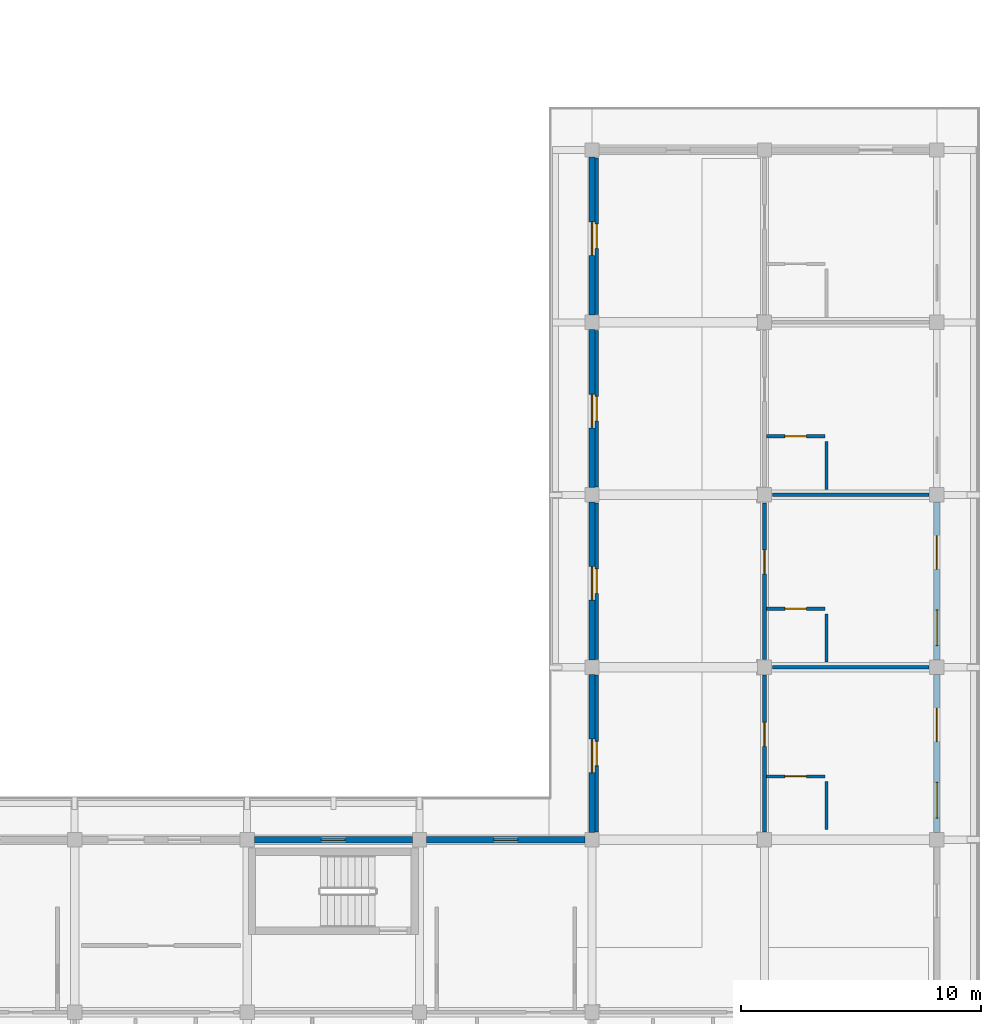
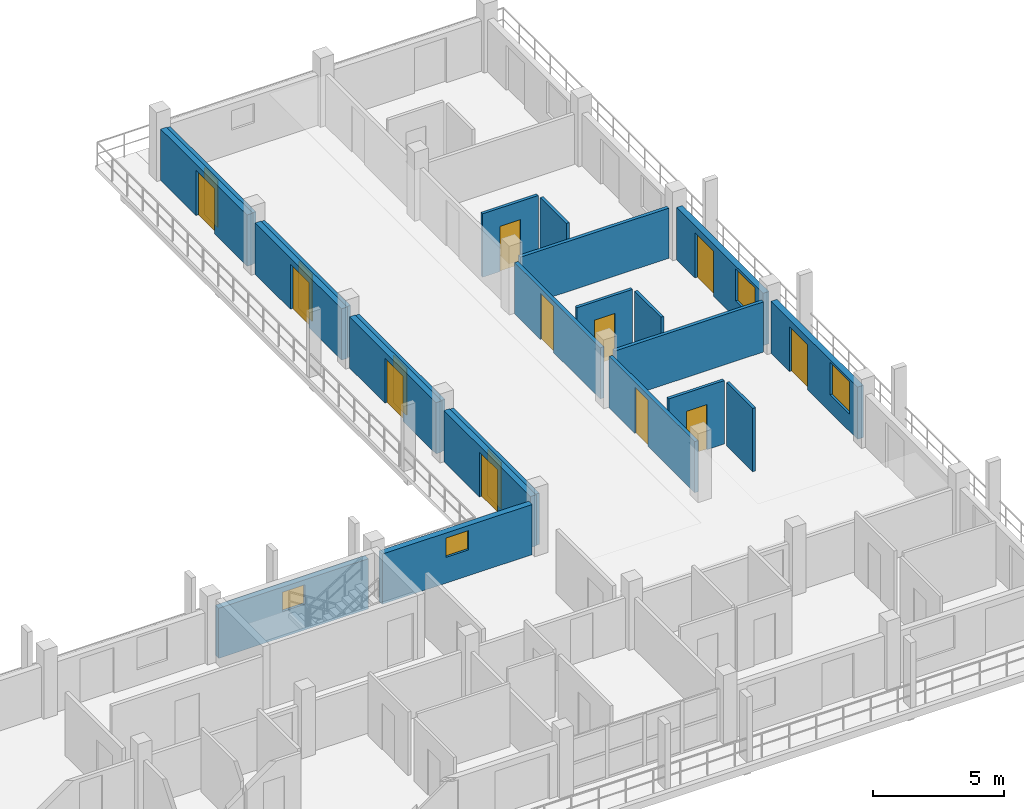
# One storey, part 55 of 78: 22 walls, 15 doors, 4 windows, 19 openings.
"""IFC4 building model written with IfcOpenShell, lengths in metres."""

from ifc_helpers import new_model, si_unit, direction, frame, frame_2d, origin, place, context, subcontext, project, spatial, rectangle, extrude, material, layer, layer_set, type_object, element, fill, save


model = new_model("IFC4")

# Units and contexts
model_context = context("Model", 3, precision=1e-05, world=origin(), true_north=direction((0.0, 1.0)))
body_context = subcontext(model_context, "Body", "Model", "MODEL_VIEW")
ifc_project = project(units=[si_unit("LENGTHUNIT", "METRE"), si_unit("AREAUNIT", "SQUARE_METRE"), si_unit("VOLUMEUNIT", "CUBIC_METRE"), si_unit("PLANEANGLEUNIT", "RADIAN"), si_unit("MASSUNIT", "GRAM", prefix="KILO")], contexts=[model_context])

# Site, building, storey
site_placement = place(None, origin())
site = spatial("IfcSite", under=ifc_project, at=site_placement, CompositionType="ELEMENT")
building_placement = place(site_placement, origin())
building = spatial("IfcBuilding", under=site, at=building_placement, Name="Suanplinth Sawtooth Commons", CompositionType="ELEMENT")
storey_placement = place(building_placement, frame((0.0, 0.0, 15.39990234375)))
storey = spatial("IfcBuildingStorey", under=building, at=storey_placement, Name="L04", CompositionType="ELEMENT", Elevation=15.39990234375)

# Wall, opening, window
ifc_material_1 = material(Name="Precast concrete C40/50", Category="concrete")
ifc_layer_1 = layer(ifc_material_1, 0.260009765625, Name="Insulated precast courtyard facade wall 260mm")
ifc_layer_set_1 = layer_set([ifc_layer_1], Name="Precast concrete C40/50")
wall_type_1 = type_object("IfcWallType", Name="W-EX02", PredefinedType="ELEMENTEDWALL", material=ifc_layer_set_1)
wall_1_placement = place(storey_placement, frame((158.699951171875, 14.39990234375, 0.0), z_axis=(0.0, 0.0, 1.0), x_axis=(1.0, 0.0, 0.0)))
wall_1 = element("IfcWall", 1, at=wall_1_placement, inside=storey, type_object=wall_type_1, Name="Facade Wall W-L04-C-N-22-1", PredefinedType="ELEMENTEDWALL", context=body_context, shape_type="SweptSolid", body=[
    extrude(rectangle(XDim=6.60009765625, YDim=0.260009765625, at=frame_2d((3.300048828125, 0.0))), origin(), (0.0, 0.0, 1.0), 2.335205078125),
])
opening_1_placement = place(wall_1_placement, frame((2.800048828125, 0.0, 1.199951171875)))
opening_1 = element("IfcOpeningElement", 2, at=opening_1_placement, cuts=wall_1, Name="Opening W0466", PredefinedType="OPENING", context=body_context, shape_type="SweptSolid", body=[
    extrude(rectangle(XDim=1.0, YDim=0.89990234375, at=frame_2d((0.5, 0.449951171875))), frame((0.0, 0.14501953125, 0.0), z_axis=(0.0, -1.0, 0.0), x_axis=(1.0, 0.0, 0.0)), (0.0, 0.0, 1.0), 0.289794921875),
])
ifc_material_2 = material(Name="Thermally broken aluminium and low-E double glazing", Category="aluminium")
window_type_1 = type_object("IfcWindowType", Name="WN-12", PartitioningType="SINGLE_PANEL", PredefinedType="WINDOW", material=ifc_material_2)
window_1_placement = place(opening_1_placement, origin())
window_1 = element("IfcWindow", 3, at=window_1_placement, inside=storey, type_object=window_type_1, Name="Core Daylight Window L04-C-22-1", OverallHeight=0.89990234375, OverallWidth=1.0, PartitioningType="SINGLE_PANEL", PredefinedType="WINDOW", context=body_context, shape_type="SweptSolid", body=[
    extrude(rectangle(XDim=1.0, YDim=0.89990234375, at=frame_2d((0.5, 0.449951171875))), frame((0.0, 0.030029296875, 0.0), z_axis=(0.0, -1.0, 0.0), x_axis=(1.0, 0.0, 0.0)), (0.0, 0.0, 1.0), 0.06005859375),
])
fill(opening_1, window_1)

wall_2_placement = place(storey_placement, frame((165.89990234375, 14.39990234375, 0.0), z_axis=(0.0, 0.0, 1.0), x_axis=(1.0, 0.0, 0.0)))
wall_2 = element("IfcWall", 4, at=wall_2_placement, inside=storey, type_object=wall_type_1, Name="Facade Wall W-L04-C-N-23-1", PredefinedType="ELEMENTEDWALL", context=body_context, shape_type="SweptSolid", body=[
    extrude(rectangle(XDim=6.60009765625, YDim=0.260009765625, at=frame_2d((3.300048828125, 0.0))), origin(), (0.0, 0.0, 1.0), 2.335205078125),
])
opening_2_placement = place(wall_2_placement, frame((2.800048828125, 0.0, 1.199951171875)))
opening_2 = element("IfcOpeningElement", 5, at=opening_2_placement, cuts=wall_2, Name="Opening W0467", PredefinedType="OPENING", context=body_context, shape_type="SweptSolid", body=[
    extrude(rectangle(XDim=1.0, YDim=0.89990234375, at=frame_2d((0.5, 0.449951171875))), frame((0.0, 0.14501953125, 0.0), z_axis=(0.0, -1.0, 0.0), x_axis=(1.0, 0.0, 0.0)), (0.0, 0.0, 1.0), 0.289794921875),
])
window_2_placement = place(opening_2_placement, origin())
window_2 = element("IfcWindow", 6, at=window_2_placement, inside=storey, type_object=window_type_1, Name="Core Daylight Window L04-C-23-1", OverallHeight=0.89990234375, OverallWidth=1.0, PartitioningType="SINGLE_PANEL", PredefinedType="WINDOW", context=body_context, shape_type="SweptSolid", body=[
    extrude(rectangle(XDim=1.0, YDim=0.89990234375, at=frame_2d((0.5, 0.449951171875))), frame((0.0, 0.030029296875, 0.0), z_axis=(0.0, -1.0, 0.0), x_axis=(1.0, 0.0, 0.0)), (0.0, 0.0, 1.0), 0.06005859375),
])
fill(opening_2, window_2)

# Wall, opening, door
wall_3_placement = place(storey_placement, frame((172.800048828125, 14.699951171875, 0.0), z_axis=(0.0, 0.0, 1.0), x_axis=(0.0, 1.0, 0.0)))
wall_3 = element("IfcWall", 7, at=wall_3_placement, inside=storey, type_object=wall_type_1, Name="Facade Wall W-L04-C-W-24-2", PredefinedType="ELEMENTEDWALL", context=body_context, shape_type="SweptSolid", body=[
    extrude(rectangle(XDim=6.60009765625, YDim=0.260009765625, at=frame_2d((3.300048828125, 0.0))), origin(), (0.0, 0.0, 1.0), 2.385009765625),
])
opening_3_placement = place(wall_3_placement, frame((2.5, 0.0, 0.0)))
opening_3 = element("IfcOpeningElement", 8, at=opening_3_placement, cuts=wall_3, Name="Opening ED0367", PredefinedType="OPENING", context=body_context, shape_type="SweptSolid", body=[
    extrude(rectangle(XDim=1.39990234375, YDim=2.10009765625, at=frame_2d((0.699951171875, 1.050048828125))), frame((0.0, 0.14501953125, 0.0), z_axis=(0.0, -1.0, 0.0), x_axis=(1.0, 0.0, 0.0)), (0.0, 0.0, 1.0), 0.289794921875),
])
ifc_material_3 = material(Name="Anodized aluminium and low-E glass", Category="aluminium")
door_type_1 = type_object("IfcDoorType", Name="SD-07", OperationType="SLIDING_TO_RIGHT", PredefinedType="DOOR", material=ifc_material_3)
door_1_placement = place(opening_3_placement, frame((1.39990234375, 0.0, 0.0), z_axis=(0.0, 0.0, 1.0), x_axis=(-1.0, 0.0, 0.0)))
door_1 = element("IfcDoor", 9, at=door_1_placement, inside=storey, type_object=door_type_1, Name="Courtyard Veranda Studio Balcony Door L04-C-2", OperationType="SLIDING_TO_RIGHT", OverallHeight=2.10009765625, OverallWidth=1.39990234375, PredefinedType="DOOR", context=body_context, shape_type="SweptSolid", body=[
    extrude(rectangle(XDim=1.39990234375, YDim=2.10009765625, at=frame_2d((0.699951171875, 1.050048828125))), frame((0.0, 0.02490234375, 0.0), z_axis=(0.0, -1.0, 0.0), x_axis=(1.0, 0.0, 0.0)), (0.0, 0.0, 1.0), 0.050048828125),
])
fill(opening_3, door_1)

wall_4_placement = place(storey_placement, frame((172.800048828125, 21.89990234375, 0.0), z_axis=(0.0, 0.0, 1.0), x_axis=(0.0, 1.0, 0.0)))
wall_4 = element("IfcWall", 10, at=wall_4_placement, inside=storey, type_object=wall_type_1, Name="Facade Wall W-L04-C-W-24-3", PredefinedType="ELEMENTEDWALL", context=body_context, shape_type="SweptSolid", body=[
    extrude(rectangle(XDim=6.60009765625, YDim=0.260009765625, at=frame_2d((3.300048828125, 0.0))), origin(), (0.0, 0.0, 1.0), 2.385009765625),
])
opening_4_placement = place(wall_4_placement, frame((2.5, 0.0, 0.0)))
opening_4 = element("IfcOpeningElement", 11, at=opening_4_placement, cuts=wall_4, Name="Opening ED0368", PredefinedType="OPENING", context=body_context, shape_type="SweptSolid", body=[
    extrude(rectangle(XDim=1.39990234375, YDim=2.10009765625, at=frame_2d((0.699951171875, 1.050048828125))), frame((0.0, 0.14501953125, 0.0), z_axis=(0.0, -1.0, 0.0), x_axis=(1.0, 0.0, 0.0)), (0.0, 0.0, 1.0), 0.289794921875),
])
door_2_placement = place(opening_4_placement, frame((1.39990234375, 0.0, 0.0), z_axis=(0.0, 0.0, 1.0), x_axis=(-1.0, 0.0, 0.0)))
door_2 = element("IfcDoor", 12, at=door_2_placement, inside=storey, type_object=door_type_1, Name="Courtyard Veranda Studio Balcony Door L04-C-3", OperationType="SLIDING_TO_RIGHT", OverallHeight=2.10009765625, OverallWidth=1.39990234375, PredefinedType="DOOR", context=body_context, shape_type="SweptSolid", body=[
    extrude(rectangle(XDim=1.39990234375, YDim=2.10009765625, at=frame_2d((0.699951171875, 1.050048828125))), frame((0.0, 0.02490234375, 0.0), z_axis=(0.0, -1.0, 0.0), x_axis=(1.0, 0.0, 0.0)), (0.0, 0.0, 1.0), 0.050048828125),
])
fill(opening_4, door_2)

wall_5_placement = place(storey_placement, frame((172.800048828125, 29.10009765625, 0.0), z_axis=(0.0, 0.0, 1.0), x_axis=(0.0, 1.0, 0.0)))
wall_5 = element("IfcWall", 13, at=wall_5_placement, inside=storey, type_object=wall_type_1, Name="Facade Wall W-L04-C-W-24-4", PredefinedType="ELEMENTEDWALL", context=body_context, shape_type="SweptSolid", body=[
    extrude(rectangle(XDim=6.599853515625, YDim=0.260009765625, at=frame_2d((3.2998046875, 0.0))), origin(), (0.0, 0.0, 1.0), 2.385009765625),
])
opening_5_placement = place(wall_5_placement, frame((2.5, 0.0, 0.0)))
opening_5 = element("IfcOpeningElement", 14, at=opening_5_placement, cuts=wall_5, Name="Opening ED0369", PredefinedType="OPENING", context=body_context, shape_type="SweptSolid", body=[
    extrude(rectangle(XDim=1.39990234375, YDim=2.10009765625, at=frame_2d((0.699951171875, 1.050048828125))), frame((0.0, 0.14501953125, 0.0), z_axis=(0.0, -1.0, 0.0), x_axis=(1.0, 0.0, 0.0)), (0.0, 0.0, 1.0), 0.289794921875),
])
door_3_placement = place(opening_5_placement, frame((1.39990234375, 0.0, 0.0), z_axis=(0.0, 0.0, 1.0), x_axis=(-1.0, 0.0, 0.0)))
door_3 = element("IfcDoor", 15, at=door_3_placement, inside=storey, type_object=door_type_1, Name="Courtyard Veranda Studio Balcony Door L04-C-4", OperationType="SLIDING_TO_RIGHT", OverallHeight=2.10009765625, OverallWidth=1.39990234375, PredefinedType="DOOR", context=body_context, shape_type="SweptSolid", body=[
    extrude(rectangle(XDim=1.39990234375, YDim=2.10009765625, at=frame_2d((0.699951171875, 1.050048828125))), frame((0.0, 0.02490234375, 0.0), z_axis=(0.0, -1.0, 0.0), x_axis=(1.0, 0.0, 0.0)), (0.0, 0.0, 1.0), 0.050048828125),
])
fill(opening_5, door_3)

wall_6_placement = place(storey_placement, frame((172.800048828125, 36.300048828125, 0.0), z_axis=(0.0, 0.0, 1.0), x_axis=(0.0, 1.0, 0.0)))
wall_6 = element("IfcWall", 16, at=wall_6_placement, inside=storey, type_object=wall_type_1, Name="Facade Wall W-L04-C-W-24-5", PredefinedType="ELEMENTEDWALL", context=body_context, shape_type="SweptSolid", body=[
    extrude(rectangle(XDim=6.599853515625, YDim=0.260009765625, at=frame_2d((3.2998046875, 0.0))), origin(), (0.0, 0.0, 1.0), 2.385009765625),
])
opening_6_placement = place(wall_6_placement, frame((2.5, 0.0, 0.0)))
opening_6 = element("IfcOpeningElement", 17, at=opening_6_placement, cuts=wall_6, Name="Opening ED0370", PredefinedType="OPENING", context=body_context, shape_type="SweptSolid", body=[
    extrude(rectangle(XDim=1.39990234375, YDim=2.10009765625, at=frame_2d((0.699951171875, 1.050048828125))), frame((0.0, 0.14501953125, 0.0), z_axis=(0.0, -1.0, 0.0), x_axis=(1.0, 0.0, 0.0)), (0.0, 0.0, 1.0), 0.289794921875),
])
door_4_placement = place(opening_6_placement, frame((1.39990234375, 0.0, 0.0), z_axis=(0.0, 0.0, 1.0), x_axis=(-1.0, 0.0, 0.0)))
door_4 = element("IfcDoor", 18, at=door_4_placement, inside=storey, type_object=door_type_1, Name="Courtyard Veranda Studio Balcony Door L04-C-5", OperationType="SLIDING_TO_RIGHT", OverallHeight=2.10009765625, OverallWidth=1.39990234375, PredefinedType="DOOR", context=body_context, shape_type="SweptSolid", body=[
    extrude(rectangle(XDim=1.39990234375, YDim=2.10009765625, at=frame_2d((0.699951171875, 1.050048828125))), frame((0.0, 0.02490234375, 0.0), z_axis=(0.0, -1.0, 0.0), x_axis=(1.0, 0.0, 0.0)), (0.0, 0.0, 1.0), 0.050048828125),
])
fill(opening_6, door_4)

# Wall, openings, door, window
wall_7_placement = place(storey_placement, frame((187.199951171875, 14.699951171875, 0.0), z_axis=(0.0, 0.0, 1.0), x_axis=(0.0, 1.0, 0.0)))
wall_7 = element("IfcWall", 19, at=wall_7_placement, inside=storey, type_object=wall_type_1, Name="Facade Wall W-L04-C-E-25-2", PredefinedType="ELEMENTEDWALL", context=body_context, shape_type="SweptSolid", body=[
    extrude(rectangle(XDim=6.60009765625, YDim=0.260009765625, at=frame_2d((3.300048828125, 0.0))), origin(), (0.0, 0.0, 1.0), 2.43017578125),
])
opening_7_placement = place(wall_7_placement, frame((3.800048828125, 0.0, 0.0)))
opening_7 = element("IfcOpeningElement", 20, at=opening_7_placement, cuts=wall_7, Name="Opening ED0374", PredefinedType="OPENING", context=body_context, shape_type="SweptSolid", body=[
    extrude(rectangle(XDim=1.39990234375, YDim=2.10009765625, at=frame_2d((0.699951171875, 1.050048828125))), frame((0.0, 0.14501953125, 0.0), z_axis=(0.0, -1.0, 0.0), x_axis=(1.0, 0.0, 0.0)), (0.0, 0.0, 1.0), 0.289794921875),
])
opening_8_placement = place(wall_7_placement, frame((0.60009765625, 0.0, 0.81005859375)))
opening_8 = element("IfcOpeningElement", 21, at=opening_8_placement, cuts=wall_7, Name="Opening W0472", PredefinedType="OPENING", context=body_context, shape_type="SweptSolid", body=[
    extrude(rectangle(XDim=1.5, YDim=1.5, at=frame_2d((0.75, 0.75))), frame((0.0, 0.14501953125, 0.0), z_axis=(0.0, -1.0, 0.0), x_axis=(1.0, 0.0, 0.0)), (0.0, 0.0, 1.0), 0.289794921875),
])
door_5_placement = place(opening_7_placement, frame((1.39990234375, 0.0, 0.0), z_axis=(0.0, 0.0, 1.0), x_axis=(-1.0, 0.0, 0.0)))
door_5 = element("IfcDoor", 22, at=door_5_placement, inside=storey, type_object=door_type_1, Name="Wing Balcony Sliding Door L04-C-2", OperationType="SLIDING_TO_RIGHT", OverallHeight=2.10009765625, OverallWidth=1.39990234375, PredefinedType="DOOR", context=body_context, shape_type="SweptSolid", body=[
    extrude(rectangle(XDim=1.39990234375, YDim=2.10009765625, at=frame_2d((0.699951171875, 1.050048828125))), frame((0.0, 0.02490234375, 0.0), z_axis=(0.0, -1.0, 0.0), x_axis=(1.0, 0.0, 0.0)), (0.0, 0.0, 1.0), 0.050048828125),
])
fill(opening_7, door_5)
window_type_2 = type_object("IfcWindowType", Name="WN-02", PartitioningType="DOUBLE_PANEL_VERTICAL", PredefinedType="WINDOW", material=ifc_material_2)
window_3_placement = place(opening_8_placement, origin())
window_3 = element("IfcWindow", 23, at=window_3_placement, inside=storey, type_object=window_type_2, Name="Wing Window L04-C-2", OverallHeight=1.5, OverallWidth=1.5, PartitioningType="DOUBLE_PANEL_VERTICAL", PredefinedType="WINDOW", context=body_context, shape_type="SweptSolid", body=[
    extrude(rectangle(XDim=1.5, YDim=1.5, at=frame_2d((0.75, 0.75))), frame((0.0, 0.030029296875, 0.0), z_axis=(0.0, -1.0, 0.0), x_axis=(1.0, 0.0, 0.0)), (0.0, 0.0, 1.0), 0.06005859375),
])
fill(opening_8, window_3)

wall_8_placement = place(storey_placement, frame((187.199951171875, 21.89990234375, 0.0), z_axis=(0.0, 0.0, 1.0), x_axis=(0.0, 1.0, 0.0)))
wall_8 = element("IfcWall", 24, at=wall_8_placement, inside=storey, type_object=wall_type_1, Name="Facade Wall W-L04-C-E-25-3", PredefinedType="ELEMENTEDWALL", context=body_context, shape_type="SweptSolid", body=[
    extrude(rectangle(XDim=6.60009765625, YDim=0.260009765625, at=frame_2d((3.300048828125, 0.0))), origin(), (0.0, 0.0, 1.0), 2.43017578125),
])
opening_9_placement = place(wall_8_placement, frame((3.800048828125, 0.0, 0.0)))
opening_9 = element("IfcOpeningElement", 25, at=opening_9_placement, cuts=wall_8, Name="Opening ED0375", PredefinedType="OPENING", context=body_context, shape_type="SweptSolid", body=[
    extrude(rectangle(XDim=1.39990234375, YDim=2.10009765625, at=frame_2d((0.699951171875, 1.050048828125))), frame((0.0, 0.14501953125, 0.0), z_axis=(0.0, -1.0, 0.0), x_axis=(1.0, 0.0, 0.0)), (0.0, 0.0, 1.0), 0.289794921875),
])
opening_10_placement = place(wall_8_placement, frame((0.60009765625, 0.0, 0.81005859375)))
opening_10 = element("IfcOpeningElement", 26, at=opening_10_placement, cuts=wall_8, Name="Opening W0473", PredefinedType="OPENING", context=body_context, shape_type="SweptSolid", body=[
    extrude(rectangle(XDim=1.5, YDim=1.5, at=frame_2d((0.75, 0.75))), frame((0.0, 0.14501953125, 0.0), z_axis=(0.0, -1.0, 0.0), x_axis=(1.0, 0.0, 0.0)), (0.0, 0.0, 1.0), 0.289794921875),
])
door_6_placement = place(opening_9_placement, frame((1.39990234375, 0.0, 0.0), z_axis=(0.0, 0.0, 1.0), x_axis=(-1.0, 0.0, 0.0)))
door_6 = element("IfcDoor", 27, at=door_6_placement, inside=storey, type_object=door_type_1, Name="Wing Balcony Sliding Door L04-C-3", OperationType="SLIDING_TO_RIGHT", OverallHeight=2.10009765625, OverallWidth=1.39990234375, PredefinedType="DOOR", context=body_context, shape_type="SweptSolid", body=[
    extrude(rectangle(XDim=1.39990234375, YDim=2.10009765625, at=frame_2d((0.699951171875, 1.050048828125))), frame((0.0, 0.02490234375, 0.0), z_axis=(0.0, -1.0, 0.0), x_axis=(1.0, 0.0, 0.0)), (0.0, 0.0, 1.0), 0.050048828125),
])
fill(opening_9, door_6)
window_4_placement = place(opening_10_placement, origin())
window_4 = element("IfcWindow", 28, at=window_4_placement, inside=storey, type_object=window_type_2, Name="Wing Window L04-C-3", OverallHeight=1.5, OverallWidth=1.5, PartitioningType="DOUBLE_PANEL_VERTICAL", PredefinedType="WINDOW", context=body_context, shape_type="SweptSolid", body=[
    extrude(rectangle(XDim=1.5, YDim=1.5, at=frame_2d((0.75, 0.75))), frame((0.0, 0.030029296875, 0.0), z_axis=(0.0, -1.0, 0.0), x_axis=(1.0, 0.0, 0.0)), (0.0, 0.0, 1.0), 0.06005859375),
])
fill(opening_10, window_4)

# Wall, opening, door
ifc_layer_2 = layer(ifc_material_1, 0.159912109375, Name="Fire-rated corridor and lobby wall 160mm")
ifc_layer_set_2 = layer_set([ifc_layer_2], Name="Precast concrete C40/50")
wall_type_2 = type_object("IfcWallType", Name="W-FW01", PredefinedType="PARTITIONING", material=ifc_layer_set_2)
wall_9_placement = place(storey_placement, frame((180.0, 14.72998046875, 0.0), z_axis=(0.0, 0.0, 1.0), x_axis=(0.0, 1.0, 0.0)))
wall_9 = element("IfcWall", 29, at=wall_9_placement, inside=storey, type_object=wall_type_2, Name="W-C-L04-L01-COR", PredefinedType="PARTITIONING", context=body_context, shape_type="SweptSolid", body=[
    extrude(rectangle(XDim=6.5400390625, YDim=0.159912109375, at=frame_2d((3.27001953125, 0.0))), origin(), (0.0, 0.0, 1.0), 2.385009765625),
])
opening_11_placement = place(wall_9_placement, frame((3.570068359375, 0.0, 0.0)))
opening_11 = element("IfcOpeningElement", 30, at=opening_11_placement, cuts=wall_9, Name="Opening FD1159", PredefinedType="OPENING", context=body_context, shape_type="SweptSolid", body=[
    extrude(rectangle(XDim=1.0, YDim=2.14990234375, at=frame_2d((0.5, 1.074951171875))), frame((0.0, 0.0947265625, 0.0), z_axis=(0.0, -1.0, 0.0), x_axis=(1.0, 0.0, 0.0)), (0.0, 0.0, 1.0), 0.189697265625),
])
ifc_material_4 = material(Name="Teak hardwood fire-rated door assembly", Category="wood")
door_type_2 = type_object("IfcDoorType", Name="FD-03", OperationType="NOTDEFINED", PredefinedType="DOOR", material=ifc_material_4)
door_7_placement = place(opening_11_placement, frame((1.0, 0.0, 0.0), z_axis=(0.0, 0.0, 1.0), x_axis=(-1.0, 0.0, 0.0)))
door_7 = element("IfcDoor", 31, at=door_7_placement, inside=storey, type_object=door_type_2, Name="Wing Unit Entrance Door FD1159", OperationType="SINGLE_SWING_LEFT", OverallHeight=2.14990234375, OverallWidth=1.0, PredefinedType="DOOR", context=body_context, shape_type="SweptSolid", body=[
    extrude(rectangle(XDim=1.0, YDim=2.14990234375, at=frame_2d((0.5, 1.074951171875))), frame((0.0, 0.02490234375, 0.0), z_axis=(0.0, -1.0, 0.0), x_axis=(1.0, 0.0, 0.0)), (0.0, 0.0, 1.0), 0.050048828125),
])
fill(opening_11, door_7)

wall_10_placement = place(storey_placement, frame((173.0, 14.72998046875, 0.0), z_axis=(0.0, 0.0, 1.0), x_axis=(0.0, 1.0, 0.0)))
wall_10 = element("IfcWall", 32, at=wall_10_placement, inside=storey, type_object=wall_type_2, Name="W-C-L04-LEGCOURTROOM-52-COR", PredefinedType="PARTITIONING", context=body_context, shape_type="SweptSolid", body=[
    extrude(rectangle(XDim=6.5400390625, YDim=0.159912109375, at=frame_2d((3.27001953125, 0.0))), origin(), (0.0, 0.0, 1.0), 2.385009765625),
])
opening_12_placement = place(wall_10_placement, frame((2.760009765625, 0.0, 0.0)))
opening_12 = element("IfcOpeningElement", 33, at=opening_12_placement, cuts=wall_10, Name="Opening D1161", PredefinedType="OPENING", context=body_context, shape_type="SweptSolid", body=[
    extrude(rectangle(XDim=1.02001953125, YDim=2.179931640625, at=frame_2d((0.510009765625, 1.08984375))), frame((0.0, 0.0947265625, 0.0), z_axis=(0.0, -1.0, 0.0), x_axis=(1.0, 0.0, 0.0)), (0.0, 0.0, 1.0), 0.189697265625),
])
ifc_material_5 = material(Name="Teak hardwood", Category="wood")
door_type_3 = type_object("IfcDoorType", Name="D-16", OperationType="NOTDEFINED", PredefinedType="DOOR", material=ifc_material_5)
door_8_placement = place(opening_12_placement, origin())
door_8 = element("IfcDoor", 34, at=door_8_placement, inside=storey, type_object=door_type_3, Name="Veranda Studio Door D1161", OperationType="SINGLE_SWING_LEFT", OverallHeight=2.179931640625, OverallWidth=1.02001953125, PredefinedType="DOOR", context=body_context, shape_type="SweptSolid", body=[
    extrude(rectangle(XDim=1.02001953125, YDim=2.179931640625, at=frame_2d((0.510009765625, 1.08984375))), frame((0.0, 0.02490234375, 0.0), z_axis=(0.0, -1.0, 0.0), x_axis=(1.0, 0.0, 0.0)), (0.0, 0.0, 1.0), 0.050048828125),
])
fill(opening_12, door_8)

wall_11_placement = place(storey_placement, frame((180.0, 21.929931640625, 0.0), z_axis=(0.0, 0.0, 1.0), x_axis=(0.0, 1.0, 0.0)))
wall_11 = element("IfcWall", 35, at=wall_11_placement, inside=storey, type_object=wall_type_2, Name="W-C-L04-L02-COR", PredefinedType="PARTITIONING", context=body_context, shape_type="SweptSolid", body=[
    extrude(rectangle(XDim=6.5400390625, YDim=0.159912109375, at=frame_2d((3.27001953125, 0.0))), origin(), (0.0, 0.0, 1.0), 2.385009765625),
])
opening_13_placement = place(wall_11_placement, frame((3.570068359375, 0.0, 0.0)))
opening_13 = element("IfcOpeningElement", 36, at=opening_13_placement, cuts=wall_11, Name="Opening FD1162", PredefinedType="OPENING", context=body_context, shape_type="SweptSolid", body=[
    extrude(rectangle(XDim=1.0, YDim=2.14990234375, at=frame_2d((0.5, 1.074951171875))), frame((0.0, 0.0947265625, 0.0), z_axis=(0.0, -1.0, 0.0), x_axis=(1.0, 0.0, 0.0)), (0.0, 0.0, 1.0), 0.189697265625),
])
door_9_placement = place(opening_13_placement, frame((1.0, 0.0, 0.0), z_axis=(0.0, 0.0, 1.0), x_axis=(-1.0, 0.0, 0.0)))
door_9 = element("IfcDoor", 37, at=door_9_placement, inside=storey, type_object=door_type_2, Name="Wing Unit Entrance Door FD1162", OperationType="SINGLE_SWING_RIGHT", OverallHeight=2.14990234375, OverallWidth=1.0, PredefinedType="DOOR", context=body_context, shape_type="SweptSolid", body=[
    extrude(rectangle(XDim=1.0, YDim=2.14990234375, at=frame_2d((0.5, 1.074951171875))), frame((0.0, 0.02490234375, 0.0), z_axis=(0.0, -1.0, 0.0), x_axis=(1.0, 0.0, 0.0)), (0.0, 0.0, 1.0), 0.050048828125),
])
fill(opening_13, door_9)

wall_12_placement = place(storey_placement, frame((173.0, 21.929931640625, 0.0), z_axis=(0.0, 0.0, 1.0), x_axis=(0.0, 1.0, 0.0)))
wall_12 = element("IfcWall", 38, at=wall_12_placement, inside=storey, type_object=wall_type_2, Name="W-C-L04-LEGCOURTROOM-54-COR", PredefinedType="PARTITIONING", context=body_context, shape_type="SweptSolid", body=[
    extrude(rectangle(XDim=6.5400390625, YDim=0.159912109375, at=frame_2d((3.27001953125, 0.0))), origin(), (0.0, 0.0, 1.0), 2.385009765625),
])
opening_14_placement = place(wall_12_placement, frame((2.760009765625, 0.0, 0.0)))
opening_14 = element("IfcOpeningElement", 39, at=opening_14_placement, cuts=wall_12, Name="Opening D1164", PredefinedType="OPENING", context=body_context, shape_type="SweptSolid", body=[
    extrude(rectangle(XDim=1.02001953125, YDim=2.179931640625, at=frame_2d((0.510009765625, 1.08984375))), frame((0.0, 0.0947265625, 0.0), z_axis=(0.0, -1.0, 0.0), x_axis=(1.0, 0.0, 0.0)), (0.0, 0.0, 1.0), 0.189697265625),
])
door_10_placement = place(opening_14_placement, origin())
door_10 = element("IfcDoor", 40, at=door_10_placement, inside=storey, type_object=door_type_3, Name="Veranda Studio Door D1164", OperationType="SINGLE_SWING_RIGHT", OverallHeight=2.179931640625, OverallWidth=1.02001953125, PredefinedType="DOOR", context=body_context, shape_type="SweptSolid", body=[
    extrude(rectangle(XDim=1.02001953125, YDim=2.179931640625, at=frame_2d((0.510009765625, 1.08984375))), frame((0.0, 0.02490234375, 0.0), z_axis=(0.0, -1.0, 0.0), x_axis=(1.0, 0.0, 0.0)), (0.0, 0.0, 1.0), 0.050048828125),
])
fill(opening_14, door_10)

wall_13_placement = place(storey_placement, frame((173.0, 29.1298828125, 0.0), z_axis=(0.0, 0.0, 1.0), x_axis=(0.0, 1.0, 0.0)))
wall_13 = element("IfcWall", 41, at=wall_13_placement, inside=storey, type_object=wall_type_2, Name="W-C-L04-LEGCOURTROOM-56-COR", PredefinedType="PARTITIONING", context=body_context, shape_type="SweptSolid", body=[
    extrude(rectangle(XDim=6.5400390625, YDim=0.159912109375, at=frame_2d((3.27001953125, 0.0))), origin(), (0.0, 0.0, 1.0), 2.385009765625),
])
opening_15_placement = place(wall_13_placement, frame((2.760009765625, 0.0, 0.0)))
opening_15 = element("IfcOpeningElement", 42, at=opening_15_placement, cuts=wall_13, Name="Opening D1167", PredefinedType="OPENING", context=body_context, shape_type="SweptSolid", body=[
    extrude(rectangle(XDim=1.02001953125, YDim=2.179931640625, at=frame_2d((0.510009765625, 1.08984375))), frame((0.0, 0.0947265625, 0.0), z_axis=(0.0, -1.0, 0.0), x_axis=(1.0, 0.0, 0.0)), (0.0, 0.0, 1.0), 0.189697265625),
])
door_11_placement = place(opening_15_placement, origin())
door_11 = element("IfcDoor", 43, at=door_11_placement, inside=storey, type_object=door_type_3, Name="Veranda Studio Door D1167", OperationType="SINGLE_SWING_LEFT", OverallHeight=2.179931640625, OverallWidth=1.02001953125, PredefinedType="DOOR", context=body_context, shape_type="SweptSolid", body=[
    extrude(rectangle(XDim=1.02001953125, YDim=2.179931640625, at=frame_2d((0.510009765625, 1.08984375))), frame((0.0, 0.02490234375, 0.0), z_axis=(0.0, -1.0, 0.0), x_axis=(1.0, 0.0, 0.0)), (0.0, 0.0, 1.0), 0.050048828125),
])
fill(opening_15, door_11)

wall_14_placement = place(storey_placement, frame((173.0, 36.330078125, 0.0), z_axis=(0.0, 0.0, 1.0), x_axis=(0.0, 1.0, 0.0)))
wall_14 = element("IfcWall", 44, at=wall_14_placement, inside=storey, type_object=wall_type_2, Name="W-C-L04-LEGCOURTROOM-58-COR", PredefinedType="PARTITIONING", context=body_context, shape_type="SweptSolid", body=[
    extrude(rectangle(XDim=6.5400390625, YDim=0.159912109375, at=frame_2d((3.27001953125, 0.0))), origin(), (0.0, 0.0, 1.0), 2.385009765625),
])
opening_16_placement = place(wall_14_placement, frame((2.760009765625, 0.0, 0.0)))
opening_16 = element("IfcOpeningElement", 45, at=opening_16_placement, cuts=wall_14, Name="Opening D1170", PredefinedType="OPENING", context=body_context, shape_type="SweptSolid", body=[
    extrude(rectangle(XDim=1.02001953125, YDim=2.179931640625, at=frame_2d((0.510009765625, 1.08984375))), frame((0.0, 0.0947265625, 0.0), z_axis=(0.0, -1.0, 0.0), x_axis=(1.0, 0.0, 0.0)), (0.0, 0.0, 1.0), 0.189697265625),
])
door_12_placement = place(opening_16_placement, origin())
door_12 = element("IfcDoor", 46, at=door_12_placement, inside=storey, type_object=door_type_3, Name="Veranda Studio Door D1170", OperationType="SINGLE_SWING_RIGHT", OverallHeight=2.179931640625, OverallWidth=1.02001953125, PredefinedType="DOOR", context=body_context, shape_type="SweptSolid", body=[
    extrude(rectangle(XDim=1.02001953125, YDim=2.179931640625, at=frame_2d((0.510009765625, 1.08984375))), frame((0.0, 0.02490234375, 0.0), z_axis=(0.0, -1.0, 0.0), x_axis=(1.0, 0.0, 0.0)), (0.0, 0.0, 1.0), 0.050048828125),
])
fill(opening_16, door_12)

# Walls
ifc_layer_3 = layer(ifc_material_1, 0.14990234375, Name="Acoustic precast party demising wall 150mm")
ifc_layer_set_3 = layer_set([ifc_layer_3], Name="Precast concrete C40/50")
wall_type_3 = type_object("IfcWallType", Name="W-FW02", PredefinedType="PARTITIONING", material=ifc_layer_set_3)
for number, where, z_axis, x_axis, name in (
    (47, (180.330078125, 21.60009765625, 0.0), (0.0, 0.0, 1.0), (1.0, 0.0, 0.0), "W-C-L04-L01-PTY"),
    (48, (180.330078125, 28.800048828125, 0.0), (0.0, 0.0, 1.0), (1.0, 0.0, 0.0), "W-C-L04-L02-PTY"),
):
    element("IfcWall", number, at=place(storey_placement, frame(where, z_axis=z_axis, x_axis=x_axis)), inside=storey, type_object=wall_type_3, Name=name, PredefinedType="PARTITIONING", context=body_context, shape_type="SweptSolid", body=[
        extrude(rectangle(XDim=6.5400390625, YDim=0.14990234375, at=frame_2d((3.27001953125, 0.0))), origin(), (0.0, 0.0, 1.0), 2.335205078125),
    ])

# Wall, opening, door
ifc_material_6 = material(Name="Gypsum plasterboard on steel stud", Category="steel")
ifc_layer_4 = layer(ifc_material_6, 0.1298828125, Name="Moisture-resistant bathroom partition 130mm")
ifc_layer_set_4 = layer_set([ifc_layer_4], Name="Gypsum plasterboard on steel stud")
wall_type_4 = type_object("IfcWallType", Name="W-PT02", PredefinedType="PARTITIONING", material=ifc_layer_set_4)
wall_15_placement = place(storey_placement, frame((180.080078125, 17.044921875, 0.0), z_axis=(0.0, 0.0, 1.0), x_axis=(1.0, 0.0, 0.0)))
wall_15 = element("IfcWall", 49, at=wall_15_placement, inside=storey, type_object=wall_type_4, Name="W-C-L04-L01-BTH1", PredefinedType="PARTITIONING", context=body_context, shape_type="SweptSolid", body=[
    extrude(rectangle(XDim=2.449951171875, YDim=0.1298828125, at=frame_2d((1.22509765625, 0.0))), origin(), (0.0, 0.0, 1.0), 2.9501953125),
])
opening_17_placement = place(wall_15_placement, frame((0.77490234375, 0.0, 0.0)))
opening_17 = element("IfcOpeningElement", 50, at=opening_17_placement, cuts=wall_15, Name="Opening D1160", PredefinedType="OPENING", context=body_context, shape_type="SweptSolid", body=[
    extrude(rectangle(XDim=0.89990234375, YDim=2.10009765625, at=frame_2d((0.449951171875, 1.050048828125))), frame((0.0, 0.079833984375, 0.0), z_axis=(0.0, -1.0, 0.0), x_axis=(1.0, 0.0, 0.0)), (0.0, 0.0, 1.0), 0.15966796875),
])
door_type_4 = type_object("IfcDoorType", Name="D-01", OperationType="NOTDEFINED", PredefinedType="DOOR", material=ifc_material_5)
door_13_placement = place(opening_17_placement, frame((0.89990234375, 0.0, 0.0), z_axis=(0.0, 0.0, 1.0), x_axis=(-1.0, 0.0, 0.0)))
door_13 = element("IfcDoor", 51, at=door_13_placement, inside=storey, type_object=door_type_4, Name="Bathroom Door D1160", OperationType="SINGLE_SWING_RIGHT", OverallHeight=2.10009765625, OverallWidth=0.89990234375, PredefinedType="DOOR", context=body_context, shape_type="SweptSolid", body=[
    extrude(rectangle(XDim=0.89990234375, YDim=2.10009765625, at=frame_2d((0.449951171875, 1.050048828125))), frame((0.0, 0.02490234375, 0.0), z_axis=(0.0, -1.0, 0.0), x_axis=(1.0, 0.0, 0.0)), (0.0, 0.0, 1.0), 0.050048828125),
])
fill(opening_17, door_13)

# Wall
wall_16_placement = place(storey_placement, frame((182.594970703125, 14.830078125, 0.0), z_axis=(0.0, 0.0, 1.0), x_axis=(0.0, 1.0, 0.0)))
element("IfcWall", 52, at=wall_16_placement, inside=storey, type_object=wall_type_4, Name="W-C-L04-L01-BTH2", PredefinedType="PARTITIONING", context=body_context, shape_type="SweptSolid", body=[
    extrude(rectangle(XDim=2.0, YDim=0.1298828125, at=frame_2d((1.0, 0.0))), origin(), (0.0, 0.0, 1.0), 2.9501953125),
])

# Wall, opening, door
wall_17_placement = place(storey_placement, frame((180.080078125, 24.044921875, 0.0), z_axis=(0.0, 0.0, 1.0), x_axis=(1.0, 0.0, 0.0)))
wall_17 = element("IfcWall", 53, at=wall_17_placement, inside=storey, type_object=wall_type_4, Name="W-C-L04-L02-BTH1", PredefinedType="PARTITIONING", context=body_context, shape_type="SweptSolid", body=[
    extrude(rectangle(XDim=2.449951171875, YDim=0.1298828125, at=frame_2d((1.22509765625, 0.0))), origin(), (0.0, 0.0, 1.0), 2.9501953125),
])
opening_18_placement = place(wall_17_placement, frame((0.77490234375, 0.0, 0.0)))
opening_18 = element("IfcOpeningElement", 54, at=opening_18_placement, cuts=wall_17, Name="Opening D1163", PredefinedType="OPENING", context=body_context, shape_type="SweptSolid", body=[
    extrude(rectangle(XDim=0.89990234375, YDim=2.10009765625, at=frame_2d((0.449951171875, 1.050048828125))), frame((0.0, 0.079833984375, 0.0), z_axis=(0.0, -1.0, 0.0), x_axis=(1.0, 0.0, 0.0)), (0.0, 0.0, 1.0), 0.15966796875),
])
door_14_placement = place(opening_18_placement, frame((0.89990234375, 0.0, 0.0), z_axis=(0.0, 0.0, 1.0), x_axis=(-1.0, 0.0, 0.0)))
door_14 = element("IfcDoor", 55, at=door_14_placement, inside=storey, type_object=door_type_4, Name="Bathroom Door D1163", OperationType="SINGLE_SWING_LEFT", OverallHeight=2.10009765625, OverallWidth=0.89990234375, PredefinedType="DOOR", context=body_context, shape_type="SweptSolid", body=[
    extrude(rectangle(XDim=0.89990234375, YDim=2.10009765625, at=frame_2d((0.449951171875, 1.050048828125))), frame((0.0, 0.02490234375, 0.0), z_axis=(0.0, -1.0, 0.0), x_axis=(1.0, 0.0, 0.0)), (0.0, 0.0, 1.0), 0.050048828125),
])
fill(opening_18, door_14)

# Wall
wall_18_placement = place(storey_placement, frame((182.594970703125, 21.830078125, 0.0), z_axis=(0.0, 0.0, 1.0), x_axis=(0.0, 1.0, 0.0)))
element("IfcWall", 56, at=wall_18_placement, inside=storey, type_object=wall_type_4, Name="W-C-L04-L02-BTH2", PredefinedType="PARTITIONING", context=body_context, shape_type="SweptSolid", body=[
    extrude(rectangle(XDim=2.0, YDim=0.1298828125, at=frame_2d((1.0, 0.0))), origin(), (0.0, 0.0, 1.0), 2.9501953125),
])

# Wall, opening, door
wall_19_placement = place(storey_placement, frame((180.080078125, 31.2451171875, 0.0), z_axis=(0.0, 0.0, 1.0), x_axis=(1.0, 0.0, 0.0)))
wall_19 = element("IfcWall", 57, at=wall_19_placement, inside=storey, type_object=wall_type_4, Name="W-C-L04-L03-BTH1", PredefinedType="PARTITIONING", context=body_context, shape_type="SweptSolid", body=[
    extrude(rectangle(XDim=2.449951171875, YDim=0.1298828125, at=frame_2d((1.22509765625, 0.0))), origin(), (0.0, 0.0, 1.0), 2.9501953125),
])
opening_19_placement = place(wall_19_placement, frame((0.77490234375, 0.0, 0.0)))
opening_19 = element("IfcOpeningElement", 58, at=opening_19_placement, cuts=wall_19, Name="Opening D1166", PredefinedType="OPENING", context=body_context, shape_type="SweptSolid", body=[
    extrude(rectangle(XDim=0.89990234375, YDim=2.10009765625, at=frame_2d((0.449951171875, 1.050048828125))), frame((0.0, 0.079833984375, 0.0), z_axis=(0.0, -1.0, 0.0), x_axis=(1.0, 0.0, 0.0)), (0.0, 0.0, 1.0), 0.15966796875),
])
door_15_placement = place(opening_19_placement, frame((0.89990234375, 0.0, 0.0), z_axis=(0.0, 0.0, 1.0), x_axis=(-1.0, 0.0, 0.0)))
door_15 = element("IfcDoor", 59, at=door_15_placement, inside=storey, type_object=door_type_4, Name="Bathroom Door D1166", OperationType="SINGLE_SWING_RIGHT", OverallHeight=2.10009765625, OverallWidth=0.89990234375, PredefinedType="DOOR", context=body_context, shape_type="SweptSolid", body=[
    extrude(rectangle(XDim=0.89990234375, YDim=2.10009765625, at=frame_2d((0.449951171875, 1.050048828125))), frame((0.0, 0.02490234375, 0.0), z_axis=(0.0, -1.0, 0.0), x_axis=(1.0, 0.0, 0.0)), (0.0, 0.0, 1.0), 0.050048828125),
])
fill(opening_19, door_15)

# Wall
wall_20_placement = place(storey_placement, frame((182.594970703125, 29.030029296875, 0.0), z_axis=(0.0, 0.0, 1.0), x_axis=(0.0, 1.0, 0.0)))
element("IfcWall", 60, at=wall_20_placement, inside=storey, type_object=wall_type_4, Name="W-C-L04-L03-BTH2", PredefinedType="PARTITIONING", context=body_context, shape_type="SweptSolid", body=[
    extrude(rectangle(XDim=2.0, YDim=0.1298828125, at=frame_2d((1.0, 0.0))), origin(), (0.0, 0.0, 1.0), 2.9501953125),
])

save(model, "model.ifc")
